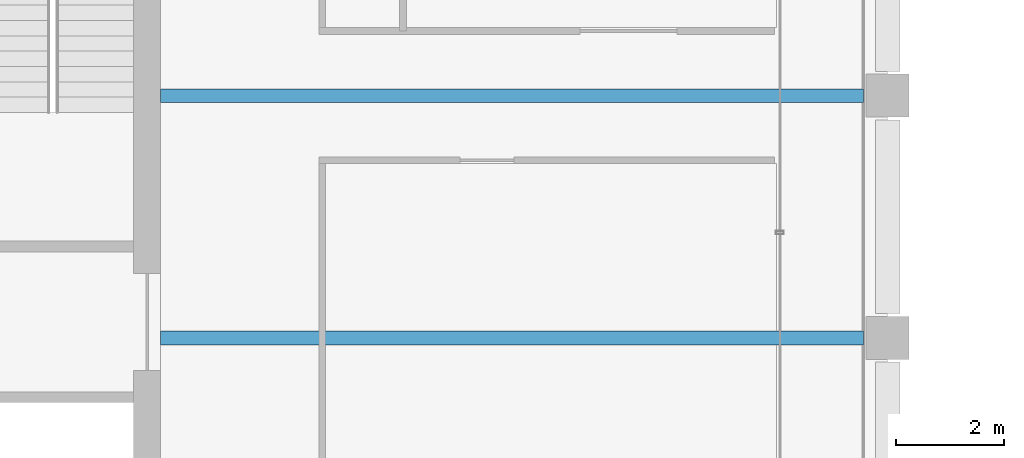
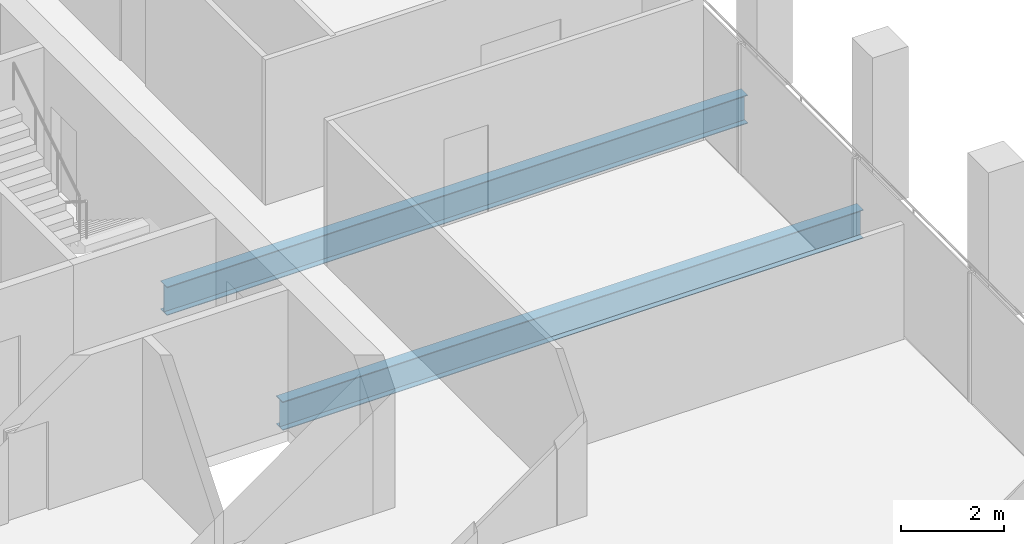
# One storey, part 16 of 40: 2 beams.
"""IFC4 building model written with IfcOpenShell, lengths in metres."""

from ifc_helpers import new_model, si_unit, direction, frame, origin, origin_2d, place, context, subcontext, project, spatial, i_section, extrude, material, material_profile, profile_set, type_object, element, save


model = new_model("IFC4")

# Units and contexts
model_context = context("Model", 3, precision=1e-05, world=origin(), true_north=direction((0.0, 1.0)))
body_context = subcontext(model_context, "Body", "Model", "MODEL_VIEW")
ifc_project = project(units=[si_unit("LENGTHUNIT", "METRE"), si_unit("AREAUNIT", "SQUARE_METRE"), si_unit("VOLUMEUNIT", "CUBIC_METRE"), si_unit("PLANEANGLEUNIT", "RADIAN"), si_unit("MASSUNIT", "GRAM", prefix="KILO")], contexts=[model_context])

# Site, building, storey
site_placement = place(None, origin())
site = spatial("IfcSite", under=ifc_project, at=site_placement, CompositionType="ELEMENT")
building_placement = place(site_placement, origin())
building = spatial("IfcBuilding", under=site, at=building_placement, Name="Altepetl Exchange Towers", CompositionType="ELEMENT")
storey_placement = place(building_placement, frame((0.0, 0.0, 195.60009765625)))
storey = spatial("IfcBuildingStorey", under=building, at=storey_placement, Name="L49", CompositionType="ELEMENT", Elevation=195.60009765625)

# Beams
ifc_material = material(Name="Steel S355", Category="steel")
ifc_material_profile = material_profile(ifc_material, i_section(OverallWidth=0.2529296875, OverallDepth=0.677978515625, WebThickness=0.01171875, FlangeThickness=0.016357421875, at=origin_2d()), Name="W27X84")
ifc_profile_set = profile_set([ifc_material_profile], Name="Steel S355")
beam_type = type_object("IfcBeamType", Name="Floor beam W27X84", PredefinedType="BEAM", material=ifc_profile_set)
for number, where, z_axis, x_axis, name in (
    (1, (58.5, 45.0, -0.489013671875), (1.0, 0.0, 0.0), (0.0, 1.0, 0.0), "bm:A:L49:009"),
    (2, (58.5, 49.5, -0.489013671875), (1.0, 0.0, 0.0), (0.0, 1.0, 0.0), "bm:A:L49:010"),
):
    element("IfcBeam", number, at=place(storey_placement, frame(where, z_axis=z_axis, x_axis=x_axis)), inside=storey, type_object=beam_type, Name=name, PredefinedType="BEAM", context=body_context, shape_type="SweptSolid", body=[
        extrude(i_section(OverallWidth=0.2529296875, OverallDepth=0.677978515625, WebThickness=0.01171875, FlangeThickness=0.016357421875, at=origin_2d()), origin(), (0.0, 0.0, 1.0), 13.050048828125),
    ])

save(model, "model.ifc")
